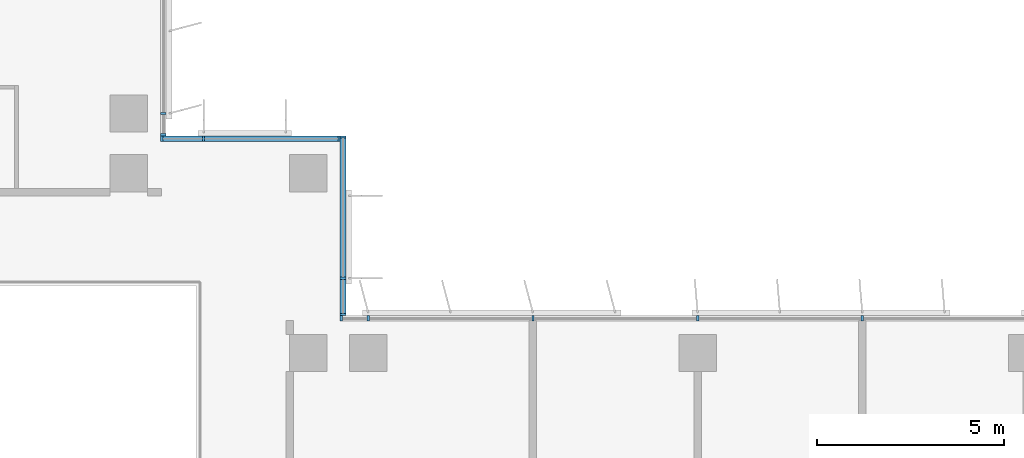
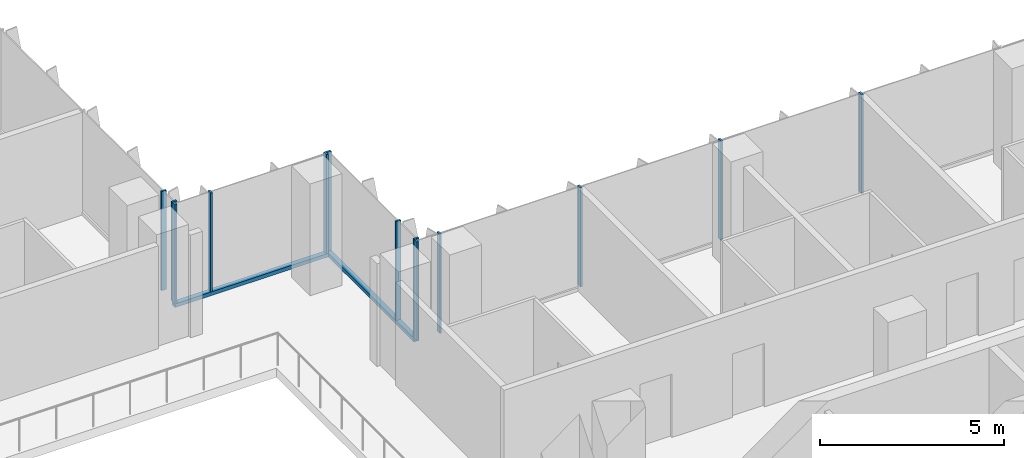
# One storey, part 2 of 21: 15 members, 4 elements without a shape of their own.
"""IFC4 building model written with IfcOpenShell, lengths in metres."""

from ifc_helpers import new_model, si_unit, direction, frame, origin, origin_2d, place, context, subcontext, project, spatial, rectangle, extrude, source, transform, mapped, material, material_profile, profile_set, type_object, element, aggregate, save


model = new_model("IFC4")

# Units and contexts
model_context = context("Model", 3, precision=1e-05, world=origin(), true_north=direction((0.0, 1.0)))
body_context = subcontext(model_context, "Body", "Model", "MODEL_VIEW")
ifc_project = project(units=[si_unit("LENGTHUNIT", "METRE"), si_unit("AREAUNIT", "SQUARE_METRE"), si_unit("VOLUMEUNIT", "CUBIC_METRE"), si_unit("PLANEANGLEUNIT", "RADIAN"), si_unit("MASSUNIT", "GRAM", prefix="KILO")], contexts=[model_context])

# Site, building, storey
site_placement = place(None, origin())
site = spatial("IfcSite", under=ifc_project, at=site_placement, CompositionType="ELEMENT")
building_placement = place(site_placement, origin())
building = spatial("IfcBuilding", under=site, at=building_placement, Name="Kemantara Hotel Tower", CompositionType="ELEMENT")
storey_placement = place(building_placement, frame((0.0, 0.0, 156.800048828125)))
storey = spatial("IfcBuildingStorey", under=building, at=storey_placement, Name="L38", CompositionType="ELEMENT", Elevation=156.800048828125)

# Curtain wall, member
ifc_material_1 = material(Name="Low-E tinted double insulated glass 36 mm", Category="glass")
curtain_wall_type = type_object("IfcCurtainWallType", Name="TOWER CURTAIN WALL, FRONT FACES", PredefinedType="USERDEFINED", material=ifc_material_1)
curtain_wall_1_placement = place(storey_placement, origin())
curtain_wall_1 = element("IfcCurtainWall", 1, at=curtain_wall_1_placement, inside=storey, type_object=curtain_wall_type, Name="CW4 L38 T3-R15-1", ObjectType="TOWER CURTAIN WALL, FRONT FACES", PredefinedType="USERDEFINED")
ifc_material_2 = material(Name="Aluminium 6063-T6 bronze anodised", Category="aluminium")
ifc_material_profile_1 = material_profile(ifc_material_2, rectangle(XDim=0.14990234375, YDim=0.1201171875, at=origin_2d()), Name="TOWER CURTAIN WALL, FRONT FACES TRANSOM")
ifc_profile_set_1 = profile_set([ifc_material_profile_1], Name="Aluminium 6063-T6 bronze anodised")
member_type_1 = type_object("IfcMemberType", Name="TOWER CURTAIN WALL, FRONT FACES TRANSOM", PredefinedType="USERDEFINED", material=ifc_profile_set_1)
member_1_placement = place(storey_placement, frame((26.72509765625, 22.0, 0.06005859375), z_axis=(0.0, 1.0, 0.0), x_axis=(-1.0, 0.0, 0.0)))
member_1 = element("IfcMember", 2, at=member_1_placement, type_object=member_type_1, Name="CW4 sill transom T3-R15-1", ObjectType="TRANSOM", PredefinedType="USERDEFINED", context=body_context, shape_type="SweptSolid", body=[
    extrude(rectangle(XDim=0.14990234375, YDim=0.1201171875, at=origin_2d()), origin(), (0.0, 0.0, 1.0), 4.800048828125),
])

curtain_wall_2_placement = place(storey_placement, origin())
curtain_wall_2 = element("IfcCurtainWall", 3, at=curtain_wall_2_placement, inside=storey, type_object=curtain_wall_type, Name="CW4 L38 T3-R16-1", ObjectType="TOWER CURTAIN WALL, FRONT FACES", PredefinedType="USERDEFINED")
member_2_placement = place(storey_placement, frame((26.64990234375, 26.72509765625, 0.06005859375), z_axis=(-1.0, 0.0, 0.0), x_axis=(0.0, -1.0, 0.0)))
member_2 = element("IfcMember", 4, at=member_2_placement, type_object=member_type_1, Name="CW4 sill transom T3-R16-1", ObjectType="TRANSOM", PredefinedType="USERDEFINED", context=body_context, shape_type="SweptSolid", body=[
    extrude(rectangle(XDim=0.14990234375, YDim=0.1201171875, at=origin_2d()), origin(), (0.0, 0.0, 1.0), 4.7998046875),
])

# Curtain wall, members
curtain_wall_3_placement = place(storey_placement, origin())
curtain_wall_3 = element("IfcCurtainWall", 5, at=curtain_wall_3_placement, inside=storey, type_object=curtain_wall_type, Name="CW4 L38 T3-R14-1", ObjectType="TOWER CURTAIN WALL, FRONT FACES", PredefinedType="USERDEFINED")
ifc_material_profile_2 = material_profile(ifc_material_2, rectangle(XDim=0.14990234375, YDim=0.06005859375, at=origin_2d()), Name="TOWER CURTAIN WALL, FRONT FACES MULLION")
ifc_profile_set_2 = profile_set([ifc_material_profile_2], Name="Aluminium 6063-T6 bronze anodised")
member_type_2 = type_object("IfcMemberType", Name="TOWER CURTAIN WALL, FRONT FACES MULLION", PredefinedType="MULLION", material=ifc_profile_set_2)
shared_shape = source(origin(), body_context, "Body", "SweptSolid", [
    extrude(rectangle(XDim=0.14990234375, YDim=0.06005859375, at=origin_2d()), origin(), (0.0, 0.0, 1.0), 3.280029296875),
])
member_3_placement = place(storey_placement, frame((40.60009765625, 21.925048828125, 0.119873046875), z_axis=(0.0, 0.0, 1.0), x_axis=(0.0, -1.0, 0.0)))
member_3 = element("IfcMember", 6, at=member_3_placement, type_object=member_type_2, Name="CW4 mullion T3-R14-1.6", PredefinedType="MULLION", context=body_context, shape_type="MappedRepresentation", body=[
    mapped(shared_shape, transform((0.0, 0.0, 0.0))),
])
member_4_placement = place(storey_placement, frame((36.199951171875, 21.925048828125, 0.119873046875), z_axis=(0.0, 0.0, 1.0), x_axis=(0.0, -1.0, 0.0)))
member_4 = element("IfcMember", 7, at=member_4_placement, type_object=member_type_2, Name="CW4 mullion T3-R14-1.7", PredefinedType="MULLION", context=body_context, shape_type="MappedRepresentation", body=[
    mapped(shared_shape, transform((0.0, 0.0, 0.0))),
])
member_5_placement = place(storey_placement, frame((31.800048828125, 21.925048828125, 0.119873046875), z_axis=(0.0, 0.0, 1.0), x_axis=(0.0, -1.0, 0.0)))
member_5 = element("IfcMember", 8, at=member_5_placement, type_object=member_type_2, Name="CW4 mullion T3-R14-1.8", PredefinedType="MULLION", context=body_context, shape_type="MappedRepresentation", body=[
    mapped(shared_shape, transform((0.0, 0.0, 0.0))),
])
member_6_placement = place(storey_placement, frame((27.39990234375, 21.925048828125, 0.119873046875), z_axis=(0.0, 0.0, 1.0), x_axis=(0.0, -1.0, 0.0)))
member_6 = element("IfcMember", 9, at=member_6_placement, type_object=member_type_2, Name="CW4 mullion T3-R14-1.9", PredefinedType="MULLION", context=body_context, shape_type="MappedRepresentation", body=[
    mapped(shared_shape, transform((0.0, 0.0, 0.0))),
])
member_7_placement = place(storey_placement, frame((26.679931640625, 21.925048828125, 0.119873046875), z_axis=(0.0, 0.0, 1.0), x_axis=(0.0, -1.0, 0.0)))
member_7 = element("IfcMember", 10, at=member_7_placement, type_object=member_type_2, Name="CW4 mullion T3-R14-1.10", PredefinedType="MULLION", context=body_context, shape_type="MappedRepresentation", body=[
    mapped(shared_shape, transform((0.0, 0.0, 0.0))),
])
aggregate(curtain_wall_3, [member_3, member_4, member_5, member_6, member_7])

# Member
member_8_placement = place(storey_placement, frame((26.72509765625, 22.030029296875, 0.119873046875), z_axis=(0.0, 0.0, 1.0), x_axis=(-1.0, 0.0, 0.0)))
member_8 = element("IfcMember", 11, at=member_8_placement, type_object=member_type_2, Name="CW4 mullion T3-R15-1.1", PredefinedType="MULLION", context=body_context, shape_type="MappedRepresentation", body=[
    mapped(shared_shape, transform((0.0, 0.0, 0.0))),
])

member_9_placement = place(storey_placement, frame((26.72509765625, 23.0, 0.119873046875), z_axis=(0.0, 0.0, 1.0), x_axis=(-1.0, 0.0, 0.0)))
member_9 = element("IfcMember", 12, at=member_9_placement, type_object=member_type_2, Name="CW4 mullion T3-R15-1.2", PredefinedType="MULLION", context=body_context, shape_type="MappedRepresentation", body=[
    mapped(shared_shape, transform((0.0, 0.0, 0.0))),
])

member_10_placement = place(storey_placement, frame((26.72509765625, 26.77001953125, 0.119873046875), z_axis=(0.0, 0.0, 1.0), x_axis=(-1.0, 0.0, 0.0)))
member_10 = element("IfcMember", 13, at=member_10_placement, type_object=member_type_2, Name="CW4 mullion T3-R15-1.3", PredefinedType="MULLION", context=body_context, shape_type="MappedRepresentation", body=[
    mapped(shared_shape, transform((0.0, 0.0, 0.0))),
])

aggregate(curtain_wall_1, [member_1, member_8, member_9, member_10])

member_11_placement = place(storey_placement, frame((26.6201171875, 26.72509765625, 0.119873046875), z_axis=(0.0, 0.0, 1.0), x_axis=(0.0, -1.0, 0.0)))
member_11 = element("IfcMember", 14, at=member_11_placement, type_object=member_type_2, Name="CW4 mullion T3-R16-1.1", PredefinedType="MULLION", context=body_context, shape_type="MappedRepresentation", body=[
    mapped(shared_shape, transform((0.0, 0.0, 0.0))),
])

member_12_placement = place(storey_placement, frame((23.0, 26.72509765625, 0.119873046875), z_axis=(0.0, 0.0, 1.0), x_axis=(0.0, -1.0, 0.0)))
member_12 = element("IfcMember", 15, at=member_12_placement, type_object=member_type_2, Name="CW4 mullion T3-R16-1.2", PredefinedType="MULLION", context=body_context, shape_type="MappedRepresentation", body=[
    mapped(shared_shape, transform((0.0, 0.0, 0.0))),
])

member_13_placement = place(storey_placement, frame((21.8798828125, 26.72509765625, 0.119873046875), z_axis=(0.0, 0.0, 1.0), x_axis=(0.0, -1.0, 0.0)))
member_13 = element("IfcMember", 16, at=member_13_placement, type_object=member_type_2, Name="CW4 mullion T3-R16-1.3", PredefinedType="MULLION", context=body_context, shape_type="MappedRepresentation", body=[
    mapped(shared_shape, transform((0.0, 0.0, 0.0))),
])

aggregate(curtain_wall_2, [member_2, member_11, member_12, member_13])

# Curtain wall, members
curtain_wall_4_placement = place(storey_placement, origin())
curtain_wall_4 = element("IfcCurtainWall", 17, at=curtain_wall_4_placement, inside=storey, type_object=curtain_wall_type, Name="CW4 L38 T3-R17-1", ObjectType="TOWER CURTAIN WALL, FRONT FACES", PredefinedType="USERDEFINED")
member_14_placement = place(storey_placement, frame((21.925048828125, 26.830078125, 0.119873046875), z_axis=(0.0, 0.0, 1.0), x_axis=(-1.0, 0.0, 0.0)))
member_14 = element("IfcMember", 18, at=member_14_placement, type_object=member_type_2, Name="CW4 mullion T3-R17-1.1", PredefinedType="MULLION", context=body_context, shape_type="MappedRepresentation", body=[
    mapped(shared_shape, transform((0.0, 0.0, 0.0))),
])
member_15_placement = place(storey_placement, frame((21.925048828125, 27.39990234375, 0.119873046875), z_axis=(0.0, 0.0, 1.0), x_axis=(-1.0, 0.0, 0.0)))
member_15 = element("IfcMember", 19, at=member_15_placement, type_object=member_type_2, Name="CW4 mullion T3-R17-1.2", PredefinedType="MULLION", context=body_context, shape_type="MappedRepresentation", body=[
    mapped(shared_shape, transform((0.0, 0.0, 0.0))),
])
aggregate(curtain_wall_4, [member_14, member_15])

save(model, "model.ifc")
